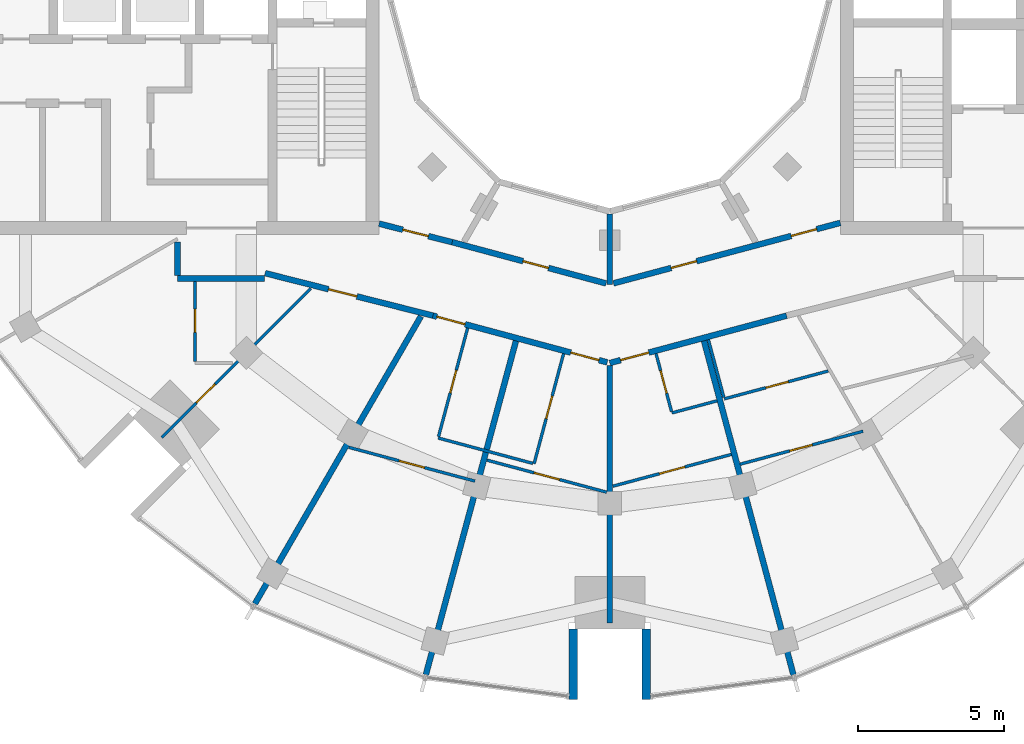
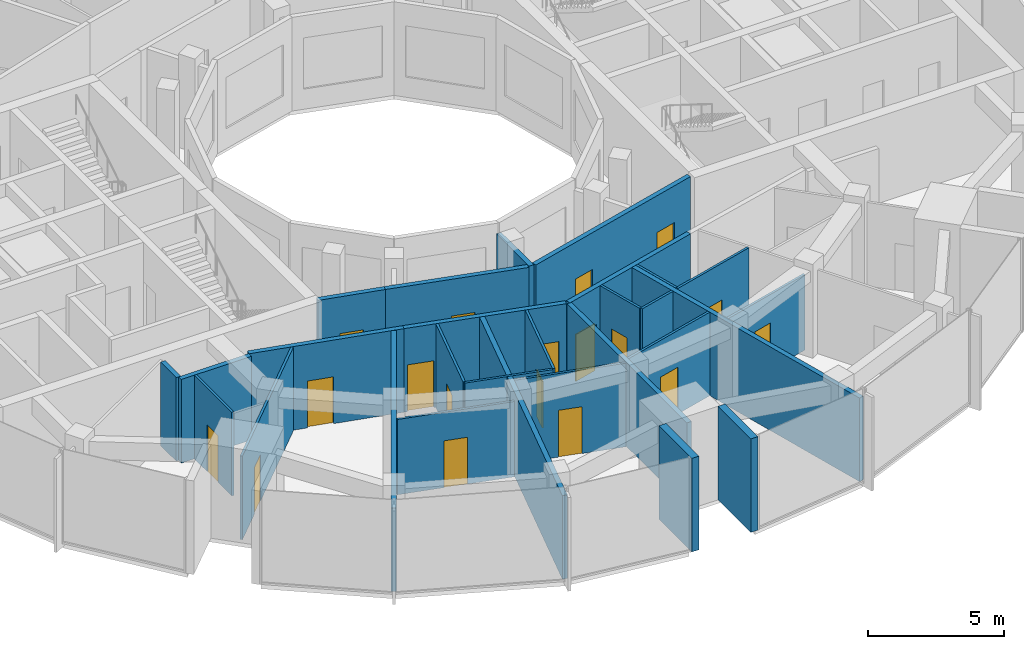
# One storey, part 8 of 15: 28 walls, 18 doors, 18 openings.
"""IFC4 building model written with IfcOpenShell, lengths in metres."""

from ifc_helpers import new_model, si_unit, direction, frame, frame_2d, origin, place, context, subcontext, project, spatial, rectangle, extrude, material, layer, layer_set, type_object, element, fill, save


model = new_model("IFC4")

# Units and contexts
model_context = context("Model", 3, precision=1e-05, world=origin(), true_north=direction((0.0, 1.0)))
body_context = subcontext(model_context, "Body", "Model", "MODEL_VIEW")
ifc_project = project(units=[si_unit("LENGTHUNIT", "METRE"), si_unit("AREAUNIT", "SQUARE_METRE"), si_unit("VOLUMEUNIT", "CUBIC_METRE"), si_unit("PLANEANGLEUNIT", "RADIAN"), si_unit("MASSUNIT", "GRAM", prefix="KILO")], contexts=[model_context])

# Site, building, storey
site_placement = place(None, origin())
site = spatial("IfcSite", under=ifc_project, at=site_placement, CompositionType="ELEMENT")
building_placement = place(site_placement, origin())
building = spatial("IfcBuilding", under=site, at=building_placement, Name="Torre Brocal", CompositionType="ELEMENT")
storey_placement = place(building_placement, frame((0.0, 0.0, 279.89990234375)))
storey = spatial("IfcBuildingStorey", under=building, at=storey_placement, Name="L64", CompositionType="ELEMENT", Elevation=279.89990234375)

# Walls
ifc_material_1 = material(Name="Concrete C50", Category="concrete")
ifc_layer_1 = layer(ifc_material_1, 0.300048828125)
ifc_layer_set_1 = layer_set([ifc_layer_1], Name="Concrete C50")
wall_type_1 = type_object("IfcWallType", Name="NOTCH RETURN WALL 300 C50", PredefinedType="NOTDEFINED", material=ifc_layer_set_1)
for number, where, z_axis, x_axis, name in (
    (1, (78.75, 53.10009765625, 0.0), (0.0, 0.0, 1.0), (0.0, -1.0, 0.0), "NOTCH RETURN WALL"),
    (2, (81.25, 53.10009765625, 0.0), (0.0, 0.0, 1.0), (0.0, -1.0, 0.0), "NOTCH RETURN WALL"),
):
    element("IfcWall", number, at=place(storey_placement, frame(where, z_axis=z_axis, x_axis=x_axis)), inside=storey, type_object=wall_type_1, Name=name, PredefinedType="NOTDEFINED", context=body_context, shape_type="SweptSolid", body=[
        extrude(rectangle(XDim=2.415771484375, YDim=0.300048828125, at=frame_2d((1.2080078125, 0.0))), origin(), (0.0, 0.0, 1.0), 4.2001953125),
    ])

# Wall, opening, door
ifc_material_2 = material(Name="Gypsum board", Category="Gypsum")
ifc_layer_2 = layer(ifc_material_2, 0.10009765625)
ifc_layer_set_2 = layer_set([ifc_layer_2], Name="Gypsum board")
wall_type_2 = type_object("IfcWallType", Name="PARTITION 100", PredefinedType="PARTITIONING", material=ifc_layer_set_2)
wall_1_placement = place(storey_placement, frame((64.655517578125, 59.655517578125, 0.0), z_axis=(0.0, 0.0, 1.0), x_axis=(0.707106781187, 0.707106781187, 0.0)))
wall_1 = element("IfcWall", 3, at=wall_1_placement, inside=storey, type_object=wall_type_2, Name="BATHROOM WALL", PredefinedType="PARTITIONING", context=body_context, shape_type="SweptSolid", body=[
    extrude(rectangle(XDim=7.22021484375, YDim=0.10009765625, at=frame_2d((3.610107421875, 0.0))), origin(), (0.0, 0.0, 1.0), 3.75),
])
opening_1_placement = place(wall_1_placement, frame((1.68408203125, 0.0, 0.0)))
opening_1 = element("IfcOpeningElement", 4, at=opening_1_placement, cuts=wall_1, Name="Opening N01-D38", PredefinedType="OPENING", context=body_context, shape_type="SweptSolid", body=[
    extrude(rectangle(XDim=0.89990234375, YDim=2.10009765625, at=frame_2d((0.449951171875, 1.050048828125))), frame((0.0, 0.06005859375, 0.0), z_axis=(0.0, -1.0, 0.0), x_axis=(1.0, 0.0, 0.0)), (0.0, 0.0, 1.0), 0.1201171875),
])
ifc_material_3 = material(Name="Timber", Category="wood")
door_type_1 = type_object("IfcDoorType", Name="ROOM DOOR 900X2100", OperationType="SINGLE_SWING_LEFT", PredefinedType="DOOR", material=ifc_material_3)
door_1_placement = place(opening_1_placement, origin())
door_1 = element("IfcDoor", 5, at=door_1_placement, inside=storey, type_object=door_type_1, Name="N01-D38", OperationType="SINGLE_SWING_RIGHT", OverallHeight=2.10009765625, OverallWidth=0.89990234375, PredefinedType="DOOR", context=body_context, shape_type="SweptSolid", body=[
    extrude(rectangle(XDim=0.89990234375, YDim=2.10009765625, at=frame_2d((0.449951171875, 1.050048828125))), frame((0.0, 0.02490234375, 0.0), z_axis=(0.0, -1.0, 0.0), x_axis=(1.0, 0.0, 0.0)), (0.0, 0.0, 1.0), 0.050048828125),
])
fill(opening_1, door_1)

wall_2_placement = place(storey_placement, frame((65.800048828125, 62.25, 0.0), z_axis=(0.0, 0.0, 1.0), x_axis=(0.0, 1.0, 0.0)))
wall_2 = element("IfcWall", 6, at=wall_2_placement, inside=storey, type_object=wall_type_2, Name="BATHROOM WALL", PredefinedType="PARTITIONING", context=body_context, shape_type="SweptSolid", body=[
    extrude(rectangle(XDim=2.75, YDim=0.10009765625, at=frame_2d((1.375, 0.0))), origin(), (0.0, 0.0, 1.0), 3.75),
])
opening_2_placement = place(wall_2_placement, frame((1.0, 0.0, 0.0)))
opening_2 = element("IfcOpeningElement", 7, at=opening_2_placement, cuts=wall_2, Name="Opening N01-D39", PredefinedType="OPENING", context=body_context, shape_type="SweptSolid", body=[
    extrude(rectangle(XDim=0.800048828125, YDim=2.10009765625, at=frame_2d((0.39990234375, 1.050048828125))), frame((0.0, 0.06005859375, 0.0), z_axis=(0.0, -1.0, 0.0), x_axis=(1.0, 0.0, 0.0)), (0.0, 0.0, 1.0), 0.1201171875),
])
ifc_material_4 = material(Name="Timber", Category="wood")
door_type_2 = type_object("IfcDoorType", Name="BATHROOM DOOR 800X2100", OperationType="SINGLE_SWING_LEFT", PredefinedType="DOOR", material=ifc_material_4)
door_2_placement = place(opening_2_placement, frame((0.800048828125, 0.0, 0.0), z_axis=(0.0, 0.0, 1.0), x_axis=(-1.0, 0.0, 0.0)))
door_2 = element("IfcDoor", 8, at=door_2_placement, inside=storey, type_object=door_type_2, Name="N01-D39", OperationType="SINGLE_SWING_LEFT", OverallHeight=2.10009765625, OverallWidth=0.800048828125, PredefinedType="DOOR", context=body_context, shape_type="SweptSolid", body=[
    extrude(rectangle(XDim=0.800048828125, YDim=2.10009765625, at=frame_2d((0.39990234375, 1.050048828125))), frame((0.0, 0.02490234375, 0.0), z_axis=(0.0, -1.0, 0.0), x_axis=(1.0, 0.0, 0.0)), (0.0, 0.0, 1.0), 0.050048828125),
])
fill(opening_2, door_2)

wall_3_placement = place(storey_placement, frame((74.135986328125, 59.686279296875, 0.0), z_axis=(0.0, 0.0, 1.0), x_axis=(0.259020336752, 0.965871867873, 0.0)))
wall_3 = element("IfcWall", 9, at=wall_3_placement, inside=storey, type_object=wall_type_2, Name="BATHROOM WALL", PredefinedType="PARTITIONING", context=body_context, shape_type="SweptSolid", body=[
    extrude(rectangle(XDim=3.849365234375, YDim=0.10009765625, at=frame_2d((1.9248046875, 0.0))), origin(), (0.0, 0.0, 1.0), 3.75),
])
opening_3_placement = place(wall_3_placement, frame((1.5498046875, 0.0, 0.0)))
opening_3 = element("IfcOpeningElement", 10, at=opening_3_placement, cuts=wall_3, Name="Opening N01-D36", PredefinedType="OPENING", context=body_context, shape_type="SweptSolid", body=[
    extrude(rectangle(XDim=0.800048828125, YDim=2.10009765625, at=frame_2d((0.39990234375, 1.050048828125))), frame((0.0, 0.06005859375, 0.0), z_axis=(0.0, -1.0, 0.0), x_axis=(1.0, 0.0, 0.0)), (0.0, 0.0, 1.0), 0.1201171875),
])
door_3_placement = place(opening_3_placement, frame((0.800048828125, 0.0, 0.0), z_axis=(0.0, 0.0, 1.0), x_axis=(-1.0, 0.0, 0.0)))
door_3 = element("IfcDoor", 11, at=door_3_placement, inside=storey, type_object=door_type_2, Name="N01-D36", OperationType="SINGLE_SWING_LEFT", OverallHeight=2.10009765625, OverallWidth=0.800048828125, PredefinedType="DOOR", context=body_context, shape_type="SweptSolid", body=[
    extrude(rectangle(XDim=0.800048828125, YDim=2.10009765625, at=frame_2d((0.39990234375, 1.050048828125))), frame((0.0, 0.02490234375, 0.0), z_axis=(0.0, -1.0, 0.0), x_axis=(1.0, 0.0, 0.0)), (0.0, 0.0, 1.0), 0.050048828125),
])
fill(opening_3, door_3)

# Wall
wall_4_placement = place(storey_placement, frame((74.123046875, 59.637939453125, 0.0), z_axis=(0.0, 0.0, 1.0), x_axis=(0.965820152698, -0.259213102761, 0.0)))
element("IfcWall", 12, at=wall_4_placement, inside=storey, type_object=wall_type_2, Name="BATHROOM WALL", PredefinedType="PARTITIONING", context=body_context, shape_type="SweptSolid", body=[
    extrude(rectangle(XDim=3.35107421875, YDim=0.10009765625, at=frame_2d((1.675537109375, 0.0))), origin(), (0.0, 0.0, 1.0), 3.75),
])

# Wall, opening, door
wall_5_placement = place(storey_placement, frame((75.794677734375, 58.87939453125, 0.0), z_axis=(0.0, 0.0, 1.0), x_axis=(0.965895141847, -0.258933533857, 0.0)))
wall_5 = element("IfcWall", 13, at=wall_5_placement, inside=storey, type_object=wall_type_2, Name="ROOM PARTITION", PredefinedType="PARTITIONING", context=body_context, shape_type="SweptSolid", body=[
    extrude(rectangle(XDim=4.243896484375, YDim=0.10009765625, at=frame_2d((2.1220703125, 0.0))), origin(), (0.0, 0.0, 1.0), 3.75),
])
opening_4_placement = place(wall_5_placement, frame((1.671630859375, 0.0, 0.0)))
opening_4 = element("IfcOpeningElement", 14, at=opening_4_placement, cuts=wall_5, Name="Opening N01-D31", PredefinedType="OPENING", context=body_context, shape_type="SweptSolid", body=[
    extrude(rectangle(XDim=0.89990234375, YDim=2.10009765625, at=frame_2d((0.449951171875, 1.050048828125))), frame((0.0, 0.06005859375, 0.0), z_axis=(0.0, -1.0, 0.0), x_axis=(1.0, 0.0, 0.0)), (0.0, 0.0, 1.0), 0.1201171875),
])
door_4_placement = place(opening_4_placement, origin())
door_4 = element("IfcDoor", 15, at=door_4_placement, inside=storey, type_object=door_type_1, Name="N01-D31", OperationType="SINGLE_SWING_LEFT", OverallHeight=2.10009765625, OverallWidth=0.89990234375, PredefinedType="DOOR", context=body_context, shape_type="SweptSolid", body=[
    extrude(rectangle(XDim=0.89990234375, YDim=2.10009765625, at=frame_2d((0.449951171875, 1.050048828125))), frame((0.0, 0.02490234375, 0.0), z_axis=(0.0, -1.0, 0.0), x_axis=(1.0, 0.0, 0.0)), (0.0, 0.0, 1.0), 0.050048828125),
])
fill(opening_4, door_4)

wall_6_placement = place(storey_placement, frame((77.407958984375, 58.757080078125, 0.0), z_axis=(0.0, 0.0, 1.0), x_axis=(0.258718354301, 0.965952800683, 0.0)))
wall_6 = element("IfcWall", 16, at=wall_6_placement, inside=storey, type_object=wall_type_2, Name="BATHROOM WALL", PredefinedType="PARTITIONING", context=body_context, shape_type="SweptSolid", body=[
    extrude(rectangle(XDim=3.900146484375, YDim=0.10009765625, at=frame_2d((1.9501953125, 0.0))), origin(), (0.0, 0.0, 1.0), 3.75),
])
opening_5_placement = place(wall_6_placement, frame((1.60009765625, 0.0, 0.0)))
opening_5 = element("IfcOpeningElement", 17, at=opening_5_placement, cuts=wall_6, Name="Opening N01-D33", PredefinedType="OPENING", context=body_context, shape_type="SweptSolid", body=[
    extrude(rectangle(XDim=0.800048828125, YDim=2.10009765625, at=frame_2d((0.39990234375, 1.050048828125))), frame((0.0, 0.06005859375, 0.0), z_axis=(0.0, -1.0, 0.0), x_axis=(1.0, 0.0, 0.0)), (0.0, 0.0, 1.0), 0.1201171875),
])
door_5_placement = place(opening_5_placement, origin())
door_5 = element("IfcDoor", 18, at=door_5_placement, inside=storey, type_object=door_type_2, Name="N01-D33", OperationType="SINGLE_SWING_RIGHT", OverallHeight=2.10009765625, OverallWidth=0.800048828125, PredefinedType="DOOR", context=body_context, shape_type="SweptSolid", body=[
    extrude(rectangle(XDim=0.800048828125, YDim=2.10009765625, at=frame_2d((0.39990234375, 1.050048828125))), frame((0.0, 0.02490234375, 0.0), z_axis=(0.0, -1.0, 0.0), x_axis=(1.0, 0.0, 0.0)), (0.0, 0.0, 1.0), 0.050048828125),
])
fill(opening_5, door_5)

wall_7_placement = place(storey_placement, frame((80.106201171875, 57.987548828125, 0.0), z_axis=(0.0, 0.0, 1.0), x_axis=(0.965893555682, 0.25893945063, 0.0)))
wall_7 = element("IfcWall", 19, at=wall_7_placement, inside=storey, type_object=wall_type_2, Name="ROOM PARTITION", PredefinedType="PARTITIONING", context=body_context, shape_type="SweptSolid", body=[
    extrude(rectangle(XDim=4.200439453125, YDim=0.10009765625, at=frame_2d((2.10009765625, 0.0))), origin(), (0.0, 0.0, 1.0), 3.75),
])
opening_6_placement = place(wall_7_placement, frame((1.645263671875, 0.0, 0.0)))
opening_6 = element("IfcOpeningElement", 20, at=opening_6_placement, cuts=wall_7, Name="Opening N01-D28", PredefinedType="OPENING", context=body_context, shape_type="SweptSolid", body=[
    extrude(rectangle(XDim=0.89990234375, YDim=2.10009765625, at=frame_2d((0.449951171875, 1.050048828125))), frame((0.0, 0.06005859375, 0.0), z_axis=(0.0, -1.0, 0.0), x_axis=(1.0, 0.0, 0.0)), (0.0, 0.0, 1.0), 0.1201171875),
])
door_6_placement = place(opening_6_placement, origin())
door_6 = element("IfcDoor", 21, at=door_6_placement, inside=storey, type_object=door_type_1, Name="N01-D28", OperationType="SINGLE_SWING_LEFT", OverallHeight=2.10009765625, OverallWidth=0.89990234375, PredefinedType="DOOR", context=body_context, shape_type="SweptSolid", body=[
    extrude(rectangle(XDim=0.89990234375, YDim=2.10009765625, at=frame_2d((0.449951171875, 1.050048828125))), frame((0.0, 0.02490234375, 0.0), z_axis=(0.0, -1.0, 0.0), x_axis=(1.0, 0.0, 0.0)), (0.0, 0.0, 1.0), 0.050048828125),
])
fill(opening_6, door_6)

wall_8_placement = place(storey_placement, frame((81.5830078125, 62.5244140625, 0.0), z_axis=(0.0, 0.0, 1.0), x_axis=(0.258559472989, -0.965995341049, 0.0)))
wall_8 = element("IfcWall", 22, at=wall_8_placement, inside=storey, type_object=wall_type_2, Name="BATHROOM WALL", PredefinedType="PARTITIONING", context=body_context, shape_type="SweptSolid", body=[
    extrude(rectangle(XDim=2.050048828125, YDim=0.10009765625, at=frame_2d((1.02490234375, 0.0))), origin(), (0.0, 0.0, 1.0), 3.75),
])
opening_7_placement = place(wall_8_placement, frame((0.599853515625, 0.0, 0.0)))
opening_7 = element("IfcOpeningElement", 23, at=opening_7_placement, cuts=wall_8, Name="Opening N01-D30", PredefinedType="OPENING", context=body_context, shape_type="SweptSolid", body=[
    extrude(rectangle(XDim=0.800048828125, YDim=2.10009765625, at=frame_2d((0.39990234375, 1.050048828125))), frame((0.0, 0.06005859375, 0.0), z_axis=(0.0, -1.0, 0.0), x_axis=(1.0, 0.0, 0.0)), (0.0, 0.0, 1.0), 0.1201171875),
])
door_7_placement = place(opening_7_placement, origin())
door_7 = element("IfcDoor", 24, at=door_7_placement, inside=storey, type_object=door_type_2, Name="N01-D30", OperationType="SINGLE_SWING_LEFT", OverallHeight=2.10009765625, OverallWidth=0.800048828125, PredefinedType="DOOR", context=body_context, shape_type="SweptSolid", body=[
    extrude(rectangle(XDim=0.800048828125, YDim=2.10009765625, at=frame_2d((0.39990234375, 1.050048828125))), frame((0.0, 0.02490234375, 0.0), z_axis=(0.0, -1.0, 0.0), x_axis=(1.0, 0.0, 0.0)), (0.0, 0.0, 1.0), 0.050048828125),
])
fill(opening_7, door_7)

# Walls
wall_9_placement = place(storey_placement, frame((82.1259765625, 60.495849609375, 0.0), z_axis=(0.0, 0.0, 1.0), x_axis=(0.965930342518, 0.258802189717, 0.0)))
element("IfcWall", 25, at=wall_9_placement, inside=storey, type_object=wall_type_2, Name="BATHROOM WALL", PredefinedType="PARTITIONING", context=body_context, shape_type="SweptSolid", body=[
    extrude(rectangle(XDim=1.599853515625, YDim=0.10009765625, at=frame_2d((0.7998046875, 0.0))), origin(), (0.0, 0.0, 1.0), 3.75),
])
wall_10_placement = place(storey_placement, frame((83.373779296875, 63.00439453125, 0.0), z_axis=(0.0, 0.0, 1.0), x_axis=(0.259144823933, -0.965838475227, 0.0)))
element("IfcWall", 26, at=wall_10_placement, inside=storey, type_object=wall_type_2, Name="BATHROOM WALL", PredefinedType="PARTITIONING", context=body_context, shape_type="SweptSolid", body=[
    extrude(rectangle(XDim=2.050048828125, YDim=0.10009765625, at=frame_2d((1.02490234375, 0.0))), origin(), (0.0, 0.0, 1.0), 3.75),
])

# Wall, opening, door
wall_11_placement = place(storey_placement, frame((83.91796875, 60.97607421875, 0.0), z_axis=(0.0, 0.0, 1.0), x_axis=(0.965914351064, 0.258861867428, 0.0)))
wall_11 = element("IfcWall", 27, at=wall_11_placement, inside=storey, type_object=wall_type_2, Name="BATHROOM WALL", PredefinedType="PARTITIONING", context=body_context, shape_type="SweptSolid", body=[
    extrude(rectangle(XDim=3.686767578125, YDim=0.10009765625, at=frame_2d((1.84326171875, 0.0))), origin(), (0.0, 0.0, 1.0), 3.75),
])
opening_8_placement = place(wall_11_placement, frame((1.473388671875, 0.0, 0.0)))
opening_8 = element("IfcOpeningElement", 28, at=opening_8_placement, cuts=wall_11, Name="Opening N01-D26", PredefinedType="OPENING", context=body_context, shape_type="SweptSolid", body=[
    extrude(rectangle(XDim=0.800048828125, YDim=2.10009765625, at=frame_2d((0.39990234375, 1.050048828125))), frame((0.0, 0.06005859375, 0.0), z_axis=(0.0, -1.0, 0.0), x_axis=(1.0, 0.0, 0.0)), (0.0, 0.0, 1.0), 0.1201171875),
])
door_8_placement = place(opening_8_placement, origin())
door_8 = element("IfcDoor", 29, at=door_8_placement, inside=storey, type_object=door_type_2, Name="N01-D26", OperationType="SINGLE_SWING_RIGHT", OverallHeight=2.10009765625, OverallWidth=0.800048828125, PredefinedType="DOOR", context=body_context, shape_type="SweptSolid", body=[
    extrude(rectangle(XDim=0.800048828125, YDim=2.10009765625, at=frame_2d((0.39990234375, 1.050048828125))), frame((0.0, 0.02490234375, 0.0), z_axis=(0.0, -1.0, 0.0), x_axis=(1.0, 0.0, 0.0)), (0.0, 0.0, 1.0), 0.050048828125),
])
fill(opening_8, door_8)

ifc_material_5 = material(Name="Gypsum board", Category="Gypsum")
ifc_layer_3 = layer(ifc_material_5, 0.10009765625)
ifc_layer_set_3 = layer_set([ifc_layer_3], Name="Gypsum board")
wall_type_3 = type_object("IfcWallType", Name="PARTITION 100 UNDER BEAM 820", PredefinedType="PARTITIONING", material=ifc_layer_set_3)
wall_12_placement = place(storey_placement, frame((71.068359375, 59.3173828125, 0.0), z_axis=(0.0, 0.0, 1.0), x_axis=(0.965923173799, -0.258828944127, 0.0)))
wall_12 = element("IfcWall", 30, at=wall_12_placement, inside=storey, type_object=wall_type_3, Name="ROOM PARTITION", PredefinedType="PARTITIONING", context=body_context, shape_type="SweptSolid", body=[
    extrude(rectangle(XDim=4.46826171875, YDim=0.10009765625, at=frame_2d((2.234130859375, 0.0))), origin(), (0.0, 0.0, 1.0), 3.380126953125),
])
opening_9_placement = place(wall_12_placement, frame((1.779296875, 0.0, 0.0)))
opening_9 = element("IfcOpeningElement", 31, at=opening_9_placement, cuts=wall_12, Name="Opening N01-D34", PredefinedType="OPENING", context=body_context, shape_type="SweptSolid", body=[
    extrude(rectangle(XDim=0.89990234375, YDim=2.10009765625, at=frame_2d((0.449951171875, 1.050048828125))), frame((0.0, 0.06005859375, 0.0), z_axis=(0.0, -1.0, 0.0), x_axis=(1.0, 0.0, 0.0)), (0.0, 0.0, 1.0), 0.1201171875),
])
door_9_placement = place(opening_9_placement, origin())
door_9 = element("IfcDoor", 32, at=door_9_placement, inside=storey, type_object=door_type_1, Name="N01-D34", OperationType="SINGLE_SWING_LEFT", OverallHeight=2.10009765625, OverallWidth=0.89990234375, PredefinedType="DOOR", context=body_context, shape_type="SweptSolid", body=[
    extrude(rectangle(XDim=0.89990234375, YDim=2.10009765625, at=frame_2d((0.449951171875, 1.050048828125))), frame((0.0, 0.02490234375, 0.0), z_axis=(0.0, -1.0, 0.0), x_axis=(1.0, 0.0, 0.0)), (0.0, 0.0, 1.0), 0.050048828125),
])
fill(opening_9, door_9)

wall_13_placement = place(storey_placement, frame((84.460693359375, 58.739990234375, 0.0), z_axis=(0.0, 0.0, 1.0), x_axis=(0.965893774063, 0.258938636026, 0.0)))
wall_13 = element("IfcWall", 33, at=wall_13_placement, inside=storey, type_object=wall_type_3, Name="BATHROOM WALL", PredefinedType="PARTITIONING", context=body_context, shape_type="SweptSolid", body=[
    extrude(rectangle(XDim=4.35791015625, YDim=0.10009765625, at=frame_2d((2.178955078125, 0.0))), origin(), (0.0, 0.0, 1.0), 3.380126953125),
])
opening_10_placement = place(wall_13_placement, frame((1.759033203125, 0.0, 0.0)))
opening_10 = element("IfcOpeningElement", 34, at=opening_10_placement, cuts=wall_13, Name="Opening N01-D27", PredefinedType="OPENING", context=body_context, shape_type="SweptSolid", body=[
    extrude(rectangle(XDim=0.800048828125, YDim=2.10009765625, at=frame_2d((0.39990234375, 1.050048828125))), frame((0.0, 0.06005859375, 0.0), z_axis=(0.0, -1.0, 0.0), x_axis=(1.0, 0.0, 0.0)), (0.0, 0.0, 1.0), 0.1201171875),
])
door_10_placement = place(opening_10_placement, frame((0.800048828125, 0.0, 0.0), z_axis=(0.0, 0.0, 1.0), x_axis=(-1.0, 0.0, 0.0)))
door_10 = element("IfcDoor", 35, at=door_10_placement, inside=storey, type_object=door_type_2, Name="N01-D27", OperationType="SINGLE_SWING_RIGHT", OverallHeight=2.10009765625, OverallWidth=0.800048828125, PredefinedType="DOOR", context=body_context, shape_type="SweptSolid", body=[
    extrude(rectangle(XDim=0.800048828125, YDim=2.10009765625, at=frame_2d((0.39990234375, 1.050048828125))), frame((0.0, 0.02490234375, 0.0), z_axis=(0.0, -1.0, 0.0), x_axis=(1.0, 0.0, 0.0)), (0.0, 0.0, 1.0), 0.050048828125),
])
fill(opening_10, door_10)

# Walls
ifc_material_6 = material(Name="Gypsum board", Category="Gypsum")
ifc_layer_4 = layer(ifc_material_6, 0.199951171875)
ifc_layer_set_4 = layer_set([ifc_layer_4], Name="Gypsum board")
wall_type_4 = type_object("IfcWallType", Name="PARTITION 200 EI60", PredefinedType="PARTITIONING", material=ifc_layer_set_4)
wall_14_placement = place(storey_placement, frame((65.199951171875, 65.199951171875, 0.0), z_axis=(0.0, 0.0, 1.0), x_axis=(0.0, 1.0, 0.0)))
element("IfcWall", 36, at=wall_14_placement, inside=storey, type_object=wall_type_4, Name="GUESTROOM CORRIDOR WALL", PredefinedType="PARTITIONING", context=body_context, shape_type="SweptSolid", body=[
    extrude(rectangle(XDim=1.150146484375, YDim=0.199951171875, at=frame_2d((0.5751953125, 0.0))), origin(), (0.0, 0.0, 1.0), 3.75),
])
wall_15_placement = place(storey_placement, frame((65.199951171875, 65.10009765625, 0.0), z_axis=(0.0, 0.0, 1.0), x_axis=(1.0, 0.0, 0.0)))
element("IfcWall", 37, at=wall_15_placement, inside=storey, type_object=wall_type_4, Name="GUESTROOM CORRIDOR WALL", PredefinedType="PARTITIONING", context=body_context, shape_type="SweptSolid", body=[
    extrude(rectangle(XDim=2.97998046875, YDim=0.199951171875, at=frame_2d((1.489990234375, 0.0))), origin(), (0.0, 0.0, 1.0), 3.75),
])
wall_16_placement = place(storey_placement, frame((67.848388671875, 53.959228515625, 0.0), z_axis=(0.0, 0.0, 1.0), x_axis=(0.500121565392, 0.865955206595, 0.0)))
element("IfcWall", 38, at=wall_16_placement, inside=storey, type_object=wall_type_4, Name="PARTY PARTITION", PredefinedType="PARTITIONING", context=body_context, shape_type="SweptSolid", body=[
    extrude(rectangle(XDim=11.366455078125, YDim=0.199951171875, at=frame_2d((5.68310546875, 0.0))), origin(), (0.0, 0.0, 1.0), 3.75),
])

# Wall, opening, door
wall_17_placement = place(storey_placement, frame((68.199951171875, 65.280029296875, 0.0), z_axis=(0.0, 0.0, 1.0), x_axis=(0.969440802773, -0.24532535523, 0.0)))
wall_17 = element("IfcWall", 39, at=wall_17_placement, inside=storey, type_object=wall_type_4, Name="FLAT ENTRANCE WALL", PredefinedType="PARTITIONING", context=body_context, shape_type="SweptSolid", body=[
    extrude(rectangle(XDim=5.92822265625, YDim=0.199951171875, at=frame_2d((2.964111328125, 0.0))), origin(), (0.0, 0.0, 1.0), 3.75),
])
opening_11_placement = place(wall_17_placement, frame((2.238525390625, 0.0, 0.0)))
opening_11 = element("IfcOpeningElement", 40, at=opening_11_placement, cuts=wall_17, Name="Opening N01-D37", PredefinedType="OPENING", context=body_context, shape_type="SweptSolid", body=[
    extrude(rectangle(XDim=1.0, YDim=2.10009765625, at=frame_2d((0.5, 1.050048828125))), frame((0.0, 0.10986328125, 0.0), z_axis=(0.0, -1.0, 0.0), x_axis=(1.0, 0.0, 0.0)), (0.0, 0.0, 1.0), 0.219970703125),
])
ifc_material_7 = material(Name="Timber", Category="wood")
door_type_3 = type_object("IfcDoorType", Name="FLAT ENTRY DOOR FD30S 1000X2100", OperationType="SINGLE_SWING_RIGHT", PredefinedType="DOOR", material=ifc_material_7)
door_11_placement = place(opening_11_placement, frame((1.0, 0.0, 0.0), z_axis=(0.0, 0.0, 1.0), x_axis=(-1.0, 0.0, 0.0)))
door_11 = element("IfcDoor", 41, at=door_11_placement, inside=storey, type_object=door_type_3, Name="N01-D37", OperationType="SINGLE_SWING_RIGHT", OverallHeight=2.10009765625, OverallWidth=1.0, PredefinedType="DOOR", context=body_context, shape_type="SweptSolid", body=[
    extrude(rectangle(XDim=1.0, YDim=2.10009765625, at=frame_2d((0.5, 1.050048828125))), frame((0.0, 0.02490234375, 0.0), z_axis=(0.0, -1.0, 0.0), x_axis=(1.0, 0.0, 0.0)), (0.0, 0.0, 1.0), 0.050048828125),
])
fill(opening_11, door_11)

wall_18_placement = place(storey_placement, frame((72.10009765625, 66.97509765625, 0.0), z_axis=(0.0, 0.0, 1.0), x_axis=(0.969471314457, -0.245204752086, 0.0)))
wall_18 = element("IfcWall", 42, at=wall_18_placement, inside=storey, type_object=wall_type_4, Name="CORRIDOR WALL", PredefinedType="PARTITIONING", context=body_context, shape_type="SweptSolid", body=[
    extrude(rectangle(XDim=2.581787109375, YDim=0.199951171875, at=frame_2d((1.291015625, 0.0))), origin(), (0.0, 0.0, 1.0), 3.75),
])
opening_12_placement = place(wall_18_placement, frame((0.8408203125, 0.0, 0.0)))
opening_12 = element("IfcOpeningElement", 43, at=opening_12_placement, cuts=wall_18, Name="Opening N01-D44", PredefinedType="OPENING", context=body_context, shape_type="SweptSolid", body=[
    extrude(rectangle(XDim=0.89990234375, YDim=2.10009765625, at=frame_2d((0.449951171875, 1.050048828125))), frame((0.0, 0.10986328125, 0.0), z_axis=(0.0, -1.0, 0.0), x_axis=(1.0, 0.0, 0.0)), (0.0, 0.0, 1.0), 0.219970703125),
])
door_12_placement = place(opening_12_placement, origin())
door_12 = element("IfcDoor", 44, at=door_12_placement, inside=storey, type_object=door_type_1, Name="N01-D44", OperationType="SINGLE_SWING_LEFT", OverallHeight=2.10009765625, OverallWidth=0.89990234375, PredefinedType="DOOR", context=body_context, shape_type="SweptSolid", body=[
    extrude(rectangle(XDim=0.89990234375, YDim=2.10009765625, at=frame_2d((0.449951171875, 1.050048828125))), frame((0.0, 0.02490234375, 0.0), z_axis=(0.0, -1.0, 0.0), x_axis=(1.0, 0.0, 0.0)), (0.0, 0.0, 1.0), 0.050048828125),
])
fill(opening_12, door_12)

# Wall
wall_19_placement = place(storey_placement, frame((73.701904296875, 51.5322265625, 0.0), z_axis=(0.0, 0.0, 1.0), x_axis=(0.2605791587, 0.965452485652, 0.0)))
element("IfcWall", 45, at=wall_19_placement, inside=storey, type_object=wall_type_4, Name="BATHROOM WALL", PredefinedType="PARTITIONING", context=body_context, shape_type="SweptSolid", body=[
    extrude(rectangle(XDim=11.837890625, YDim=0.199951171875, at=frame_2d((5.9189453125, 0.0))), origin(), (0.0, 0.0, 1.0), 3.75),
])

# Wall, openings, doors
wall_20_placement = place(storey_placement, frame((73.947021484375, 63.826171875, 0.0), z_axis=(0.0, 0.0, 1.0), x_axis=(0.965872508768, -0.25901794688, 0.0)))
wall_20 = element("IfcWall", 46, at=wall_20_placement, inside=storey, type_object=wall_type_4, Name="FLAT ENTRANCE WALL", PredefinedType="PARTITIONING", context=body_context, shape_type="SweptSolid", body=[
    extrude(rectangle(XDim=6.176513671875, YDim=0.199951171875, at=frame_2d((3.08837890625, 0.0))), origin(), (0.0, 0.0, 1.0), 3.75),
])
opening_13_placement = place(wall_20_placement, frame((4.885009765625, 0.0, 0.0)))
opening_13 = element("IfcOpeningElement", 47, at=opening_13_placement, cuts=wall_20, Name="Opening N01-D32", PredefinedType="OPENING", context=body_context, shape_type="SweptSolid", body=[
    extrude(rectangle(XDim=1.0, YDim=2.10009765625, at=frame_2d((0.5, 1.050048828125))), frame((0.0, 0.10986328125, 0.0), z_axis=(0.0, -1.0, 0.0), x_axis=(1.0, 0.0, 0.0)), (0.0, 0.0, 1.0), 0.219970703125),
])
opening_14_placement = place(wall_20_placement, frame((0.13720703125, 0.0, 0.0)))
opening_14 = element("IfcOpeningElement", 48, at=opening_14_placement, cuts=wall_20, Name="Opening N01-D35", PredefinedType="OPENING", context=body_context, shape_type="SweptSolid", body=[
    extrude(rectangle(XDim=1.0, YDim=2.10009765625, at=frame_2d((0.5, 1.050048828125))), frame((0.0, 0.10986328125, 0.0), z_axis=(0.0, -1.0, 0.0), x_axis=(1.0, 0.0, 0.0)), (0.0, 0.0, 1.0), 0.219970703125),
])
door_13_placement = place(opening_13_placement, frame((1.0, 0.0, 0.0), z_axis=(0.0, 0.0, 1.0), x_axis=(-1.0, 0.0, 0.0)))
door_13 = element("IfcDoor", 49, at=door_13_placement, inside=storey, type_object=door_type_3, Name="N01-D32", OperationType="SINGLE_SWING_RIGHT", OverallHeight=2.10009765625, OverallWidth=1.0, PredefinedType="DOOR", context=body_context, shape_type="SweptSolid", body=[
    extrude(rectangle(XDim=1.0, YDim=2.10009765625, at=frame_2d((0.5, 1.050048828125))), frame((0.0, 0.02490234375, 0.0), z_axis=(0.0, -1.0, 0.0), x_axis=(1.0, 0.0, 0.0)), (0.0, 0.0, 1.0), 0.050048828125),
])
fill(opening_13, door_13)
door_14_placement = place(opening_14_placement, frame((1.0, 0.0, 0.0), z_axis=(0.0, 0.0, 1.0), x_axis=(-1.0, 0.0, 0.0)))
door_14 = element("IfcDoor", 50, at=door_14_placement, inside=storey, type_object=door_type_3, Name="N01-D35", OperationType="SINGLE_SWING_LEFT", OverallHeight=2.10009765625, OverallWidth=1.0, PredefinedType="DOOR", context=body_context, shape_type="SweptSolid", body=[
    extrude(rectangle(XDim=1.0, YDim=2.10009765625, at=frame_2d((0.5, 1.050048828125))), frame((0.0, 0.02490234375, 0.0), z_axis=(0.0, -1.0, 0.0), x_axis=(1.0, 0.0, 0.0)), (0.0, 0.0, 1.0), 0.050048828125),
])
fill(opening_14, door_14)

# Wall, opening, door
wall_21_placement = place(storey_placement, frame((74.60302734375, 66.342041015625, 0.0), z_axis=(0.0, 0.0, 1.0), x_axis=(0.965920893652, -0.258837453254, 0.0)))
wall_21 = element("IfcWall", 51, at=wall_21_placement, inside=storey, type_object=wall_type_4, Name="CORRIDOR WALL", PredefinedType="PARTITIONING", context=body_context, shape_type="SweptSolid", body=[
    extrude(rectangle(XDim=5.45751953125, YDim=0.199951171875, at=frame_2d((2.728759765625, 0.0))), origin(), (0.0, 0.0, 1.0), 3.75),
])
opening_15_placement = place(wall_21_placement, frame((2.512451171875, 0.0, 0.0)))
opening_15 = element("IfcOpeningElement", 52, at=opening_15_placement, cuts=wall_21, Name="Opening N01-D43", PredefinedType="OPENING", context=body_context, shape_type="SweptSolid", body=[
    extrude(rectangle(XDim=0.89990234375, YDim=2.10009765625, at=frame_2d((0.449951171875, 1.050048828125))), frame((0.0, 0.10986328125, 0.0), z_axis=(0.0, -1.0, 0.0), x_axis=(1.0, 0.0, 0.0)), (0.0, 0.0, 1.0), 0.219970703125),
])
door_15_placement = place(opening_15_placement, origin())
door_15 = element("IfcDoor", 53, at=door_15_placement, inside=storey, type_object=door_type_1, Name="N01-D43", OperationType="SINGLE_SWING_LEFT", OverallHeight=2.10009765625, OverallWidth=0.89990234375, PredefinedType="DOOR", context=body_context, shape_type="SweptSolid", body=[
    extrude(rectangle(XDim=0.89990234375, YDim=2.10009765625, at=frame_2d((0.449951171875, 1.050048828125))), frame((0.0, 0.02490234375, 0.0), z_axis=(0.0, -1.0, 0.0), x_axis=(1.0, 0.0, 0.0)), (0.0, 0.0, 1.0), 0.050048828125),
])
fill(opening_15, door_15)

# Wall, openings, doors
wall_22_placement = place(storey_placement, frame((80.125, 64.931640625, 0.0), z_axis=(0.0, 0.0, 1.0), x_axis=(0.966236955806, 0.257655089674, 0.0)))
wall_22 = element("IfcWall", 54, at=wall_22_placement, inside=storey, type_object=wall_type_4, Name="CORRIDOR WALL", PredefinedType="PARTITIONING", context=body_context, shape_type="SweptSolid", body=[
    extrude(rectangle(XDim=8.0390625, YDim=0.199951171875, at=frame_2d((4.01953125, 0.0))), origin(), (0.0, 0.0, 1.0), 3.75),
])
opening_16_placement = place(wall_22_placement, frame((6.298095703125, 0.0, 0.0)))
opening_16 = element("IfcOpeningElement", 55, at=opening_16_placement, cuts=wall_22, Name="Opening N01-D41", PredefinedType="OPENING", context=body_context, shape_type="SweptSolid", body=[
    extrude(rectangle(XDim=0.89990234375, YDim=2.10009765625, at=frame_2d((0.449951171875, 1.050048828125))), frame((0.0, 0.10986328125, 0.0), z_axis=(0.0, -1.0, 0.0), x_axis=(1.0, 0.0, 0.0)), (0.0, 0.0, 1.0), 0.219970703125),
])
opening_17_placement = place(wall_22_placement, frame((2.044921875, 0.0, 0.0)))
opening_17 = element("IfcOpeningElement", 56, at=opening_17_placement, cuts=wall_22, Name="Opening N01-D42", PredefinedType="OPENING", context=body_context, shape_type="SweptSolid", body=[
    extrude(rectangle(XDim=0.89990234375, YDim=2.10009765625, at=frame_2d((0.449951171875, 1.050048828125))), frame((0.0, 0.10986328125, 0.0), z_axis=(0.0, -1.0, 0.0), x_axis=(1.0, 0.0, 0.0)), (0.0, 0.0, 1.0), 0.219970703125),
])
door_16_placement = place(opening_16_placement, origin())
door_16 = element("IfcDoor", 57, at=door_16_placement, inside=storey, type_object=door_type_1, Name="N01-D41", OperationType="SINGLE_SWING_RIGHT", OverallHeight=2.10009765625, OverallWidth=0.89990234375, PredefinedType="DOOR", context=body_context, shape_type="SweptSolid", body=[
    extrude(rectangle(XDim=0.89990234375, YDim=2.10009765625, at=frame_2d((0.449951171875, 1.050048828125))), frame((0.0, 0.02490234375, 0.0), z_axis=(0.0, -1.0, 0.0), x_axis=(1.0, 0.0, 0.0)), (0.0, 0.0, 1.0), 0.050048828125),
])
fill(opening_16, door_16)
door_17_placement = place(opening_17_placement, origin())
door_17 = element("IfcDoor", 58, at=door_17_placement, inside=storey, type_object=door_type_1, Name="N01-D42", OperationType="SINGLE_SWING_RIGHT", OverallHeight=2.10009765625, OverallWidth=0.89990234375, PredefinedType="DOOR", context=body_context, shape_type="SweptSolid", body=[
    extrude(rectangle(XDim=0.89990234375, YDim=2.10009765625, at=frame_2d((0.449951171875, 1.050048828125))), frame((0.0, 0.02490234375, 0.0), z_axis=(0.0, -1.0, 0.0), x_axis=(1.0, 0.0, 0.0)), (0.0, 0.0, 1.0), 0.050048828125),
])
fill(opening_17, door_17)

# Wall
wall_23_placement = place(storey_placement, frame((80.0, 53.300048828125, 0.0), z_axis=(0.0, 0.0, 1.0), x_axis=(0.0, 1.0, 0.0)))
element("IfcWall", 59, at=wall_23_placement, inside=storey, type_object=wall_type_4, Name="PARTY PARTITION", PredefinedType="PARTITIONING", context=body_context, shape_type="SweptSolid", body=[
    extrude(rectangle(XDim=8.81396484375, YDim=0.199951171875, at=frame_2d((4.406982421875, 0.0))), origin(), (0.0, 0.0, 1.0), 3.75),
])

# Wall, opening, door
wall_24_placement = place(storey_placement, frame((80.0, 62.2041015625, 0.0), z_axis=(0.0, 0.0, 1.0), x_axis=(0.965960221635, 0.258690645788, 0.0)))
wall_24 = element("IfcWall", 60, at=wall_24_placement, inside=storey, type_object=wall_type_4, Name="FLAT ENTRANCE WALL", PredefinedType="PARTITIONING", context=body_context, shape_type="SweptSolid", body=[
    extrude(rectangle(XDim=6.2666015625, YDim=0.199951171875, at=frame_2d((3.13330078125, 0.0))), origin(), (0.0, 0.0, 1.0), 3.75),
])
opening_18_placement = place(wall_24_placement, frame((0.381591796875, 0.0, 0.0)))
opening_18 = element("IfcOpeningElement", 61, at=opening_18_placement, cuts=wall_24, Name="Opening N01-D29", PredefinedType="OPENING", context=body_context, shape_type="SweptSolid", body=[
    extrude(rectangle(XDim=1.0, YDim=2.10009765625, at=frame_2d((0.5, 1.050048828125))), frame((0.0, 0.10986328125, 0.0), z_axis=(0.0, -1.0, 0.0), x_axis=(1.0, 0.0, 0.0)), (0.0, 0.0, 1.0), 0.219970703125),
])
door_18_placement = place(opening_18_placement, frame((1.0, 0.0, 0.0), z_axis=(0.0, 0.0, 1.0), x_axis=(-1.0, 0.0, 0.0)))
door_18 = element("IfcDoor", 62, at=door_18_placement, inside=storey, type_object=door_type_3, Name="N01-D29", OperationType="SINGLE_SWING_LEFT", OverallHeight=2.10009765625, OverallWidth=1.0, PredefinedType="DOOR", context=body_context, shape_type="SweptSolid", body=[
    extrude(rectangle(XDim=1.0, YDim=2.10009765625, at=frame_2d((0.5, 1.050048828125))), frame((0.0, 0.02490234375, 0.0), z_axis=(0.0, -1.0, 0.0), x_axis=(1.0, 0.0, 0.0)), (0.0, 0.0, 1.0), 0.050048828125),
])
fill(opening_18, door_18)

# Walls
wall_25_placement = place(storey_placement, frame((80.0, 64.89599609375, 0.0), z_axis=(0.0, 0.0, 1.0), x_axis=(0.0, 1.0, 0.0)))
element("IfcWall", 63, at=wall_25_placement, inside=storey, type_object=wall_type_4, Name="SERVICE ROOM WALL", PredefinedType="PARTITIONING", context=body_context, shape_type="SweptSolid", body=[
    extrude(rectangle(XDim=2.405029296875, YDim=0.199951171875, at=frame_2d((1.20263671875, 0.0))), origin(), (0.0, 0.0, 1.0), 3.75),
])
wall_26_placement = place(storey_placement, frame((83.22509765625, 62.964599609375, 0.0), z_axis=(0.0, 0.0, 1.0), x_axis=(0.258656021451, -0.965969493601, 0.0)))
element("IfcWall", 64, at=wall_26_placement, inside=storey, type_object=wall_type_4, Name="BATHROOM WALL", PredefinedType="PARTITIONING", context=body_context, shape_type="SweptSolid", body=[
    extrude(rectangle(XDim=11.838134765625, YDim=0.199951171875, at=frame_2d((5.9189453125, 0.0))), origin(), (0.0, 0.0, 1.0), 3.75),
])

save(model, "model.ifc")
